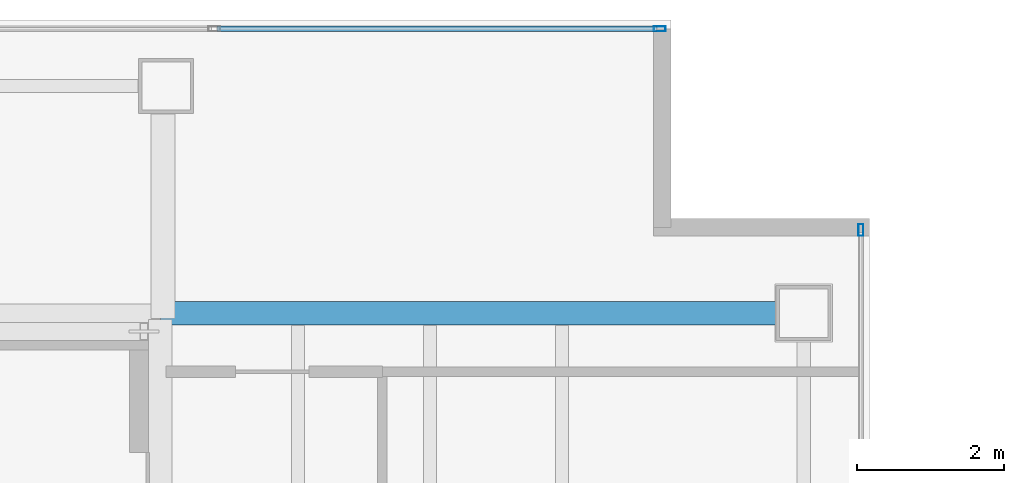
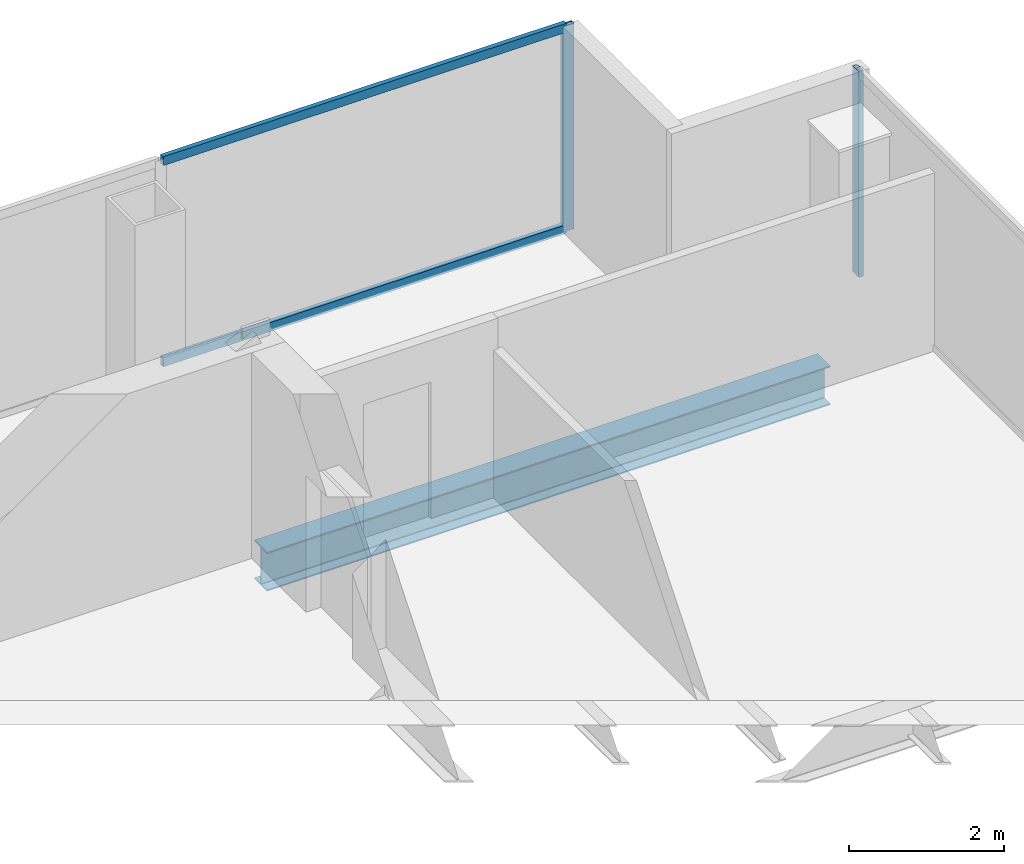
# One storey, part 18 of 23: 4 members, 1 beam, 2 elements without a shape of their own.
"""IFC4 building model written with IfcOpenShell, lengths in metres."""

from ifc_helpers import new_model, si_unit, direction, frame, origin, origin_2d, place, context, subcontext, project, spatial, hollow_rectangle, i_section, extrude, material, material_profile, profile_set, type_object, element, aggregate, save


model = new_model("IFC4")

# Units and contexts
model_context = context("Model", 3, precision=1e-05, world=origin(), true_north=direction((0.0, 1.0)))
body_context = subcontext(model_context, "Body", "Model", "MODEL_VIEW")
ifc_project = project(units=[si_unit("LENGTHUNIT", "METRE"), si_unit("AREAUNIT", "SQUARE_METRE"), si_unit("VOLUMEUNIT", "CUBIC_METRE"), si_unit("PLANEANGLEUNIT", "RADIAN"), si_unit("MASSUNIT", "GRAM", prefix="KILO")], contexts=[model_context])

# Site, building, storey
site_placement = place(None, origin())
site = spatial("IfcSite", under=ifc_project, at=site_placement, CompositionType="ELEMENT")
building_placement = place(site_placement, origin())
building = spatial("IfcBuilding", under=site, at=building_placement, Name="Cobrela Telecom Tower", CompositionType="ELEMENT")
storey_placement = place(building_placement, frame((0.0, 0.0, 229.25)))
storey = spatial("IfcBuildingStorey", under=building, at=storey_placement, Name="L59", CompositionType="ELEMENT", Elevation=229.25)

# Beam
ifc_material_1 = material(Name="Steel ASTM A992 Grade 50", Category="steel")
ifc_material_profile_1 = material_profile(ifc_material_1, i_section(OverallWidth=0.324951171875, OverallDepth=0.612060546875, WebThickness=0.0126953125, FlangeThickness=0.01904296875, FilletRadius=0.014892578125, at=origin_2d()), Name="W24X104")
ifc_profile_set_1 = profile_set([ifc_material_profile_1], Name="Steel ASTM A992 Grade 50")
beam_type = type_object("IfcBeamType", Name="BM-GIRD-07", PredefinedType="USERDEFINED", material=ifc_profile_set_1)
beam_placement = place(storey_placement, frame((14.324951171875, 36.0, -0.56591796875), z_axis=(1.0, 0.0, 0.0), x_axis=(0.0, 1.0, 0.0)))
element("IfcBeam", 1, at=beam_placement, inside=storey, type_object=beam_type, Name="L59 Primary Girder X22", ObjectType="GIRDER", PredefinedType="USERDEFINED", context=body_context, shape_type="SweptSolid", body=[
    extrude(i_section(OverallWidth=0.324951171875, OverallDepth=0.612060546875, WebThickness=0.0126953125, FlangeThickness=0.01904296875, FilletRadius=0.014892578125, at=origin_2d()), origin(), (0.0, 0.0, 1.0), 8.39501953125),
])

# Curtain wall, member
ifc_material_2 = material(Name="Anodized Bronze Aluminium 6063-T6", Category="aluminium")
curtain_wall_type = type_object("IfcCurtainWallType", Name="CW-SYS-OFF-LO", PredefinedType="USERDEFINED", material=ifc_material_2)
curtain_wall_1_placement = place(storey_placement, origin())
curtain_wall_1 = element("IfcCurtainWall", 2, at=curtain_wall_1_placement, inside=storey, type_object=curtain_wall_type, Name="L59 Unitised Bronze Curtain Wall 07", ObjectType="UNITISED CURTAIN WALL", PredefinedType="USERDEFINED")
ifc_material_profile_2 = material_profile(ifc_material_2, hollow_rectangle(XDim=0.070068359375, YDim=0.159912109375, WallThickness=0.00390625, at=origin_2d()), Name="ALU 70x160x4")
ifc_profile_set_2 = profile_set([ifc_material_profile_2], Name="Anodized Bronze Aluminium 6063-T6")
member_type_1 = type_object("IfcMemberType", Name="CW-SYS-OFF-LO-MUL", PredefinedType="MULLION", material=ifc_profile_set_2)
member_1_placement = place(storey_placement, frame((21.135009765625, 39.8798828125, 0.0), z_axis=(0.0, 0.0, 1.0), x_axis=(0.0, 1.0, 0.0)))
member_1 = element("IfcMember", 3, at=member_1_placement, type_object=member_type_1, Name="CW-OFF-LO mullion 4", PredefinedType="MULLION", context=body_context, shape_type="SweptSolid", body=[
    extrude(hollow_rectangle(XDim=0.070068359375, YDim=0.159912109375, WallThickness=0.00390625, at=origin_2d()), origin(), (0.0, 0.0, 1.0), 3.239990234375),
])

curtain_wall_2_placement = place(storey_placement, origin())
curtain_wall_2 = element("IfcCurtainWall", 4, at=curtain_wall_2_placement, inside=storey, type_object=curtain_wall_type, Name="L59 Unitised Bronze Curtain Wall 10", ObjectType="UNITISED CURTAIN WALL", PredefinedType="USERDEFINED")
member_2_placement = place(storey_placement, frame((23.8798828125, 37.135009765625, 0.0), z_axis=(0.0, 0.0, 1.0), x_axis=(1.0, 0.0, 0.0)))
member_2 = element("IfcMember", 5, at=member_2_placement, type_object=member_type_1, Name="CW-OFF-LO mullion 1", PredefinedType="MULLION", context=body_context, shape_type="SweptSolid", body=[
    extrude(hollow_rectangle(XDim=0.070068359375, YDim=0.159912109375, WallThickness=0.00390625, at=origin_2d()), origin(), (0.0, 0.0, 1.0), 3.239990234375),
])
aggregate(curtain_wall_2, [member_2])

# Member
ifc_material_profile_3 = material_profile(ifc_material_2, hollow_rectangle(XDim=0.070068359375, YDim=0.139892578125, WallThickness=0.00390625, at=origin_2d()), Name="ALU 70x140x4")
ifc_profile_set_3 = profile_set([ifc_material_profile_3], Name="Anodized Bronze Aluminium 6063-T6")
member_type_2 = type_object("IfcMemberType", Name="CW-SYS-OFF-LO-TRN", PredefinedType="USERDEFINED", material=ifc_profile_set_3)
member_3_placement = place(storey_placement, frame((15.091552734375, 39.8798828125, 0.034912109375), z_axis=(1.0, 0.0, 0.0), x_axis=(0.0, 1.0, 0.0)))
member_3 = element("IfcMember", 6, at=member_3_placement, type_object=member_type_2, Name="CW-OFF-LO transom 3.1", ObjectType="TRANSOM", PredefinedType="USERDEFINED", context=body_context, shape_type="SweptSolid", body=[
    extrude(hollow_rectangle(XDim=0.070068359375, YDim=0.139892578125, WallThickness=0.00390625, at=origin_2d()), origin(), (0.0, 0.0, 1.0), 6.008544921875),
])

member_4_placement = place(storey_placement, frame((15.091552734375, 39.8798828125, 3.205078125), z_axis=(1.0, 0.0, 0.0), x_axis=(0.0, 1.0, 0.0)))
member_4 = element("IfcMember", 7, at=member_4_placement, type_object=member_type_2, Name="CW-OFF-LO transom 3.2", ObjectType="TRANSOM", PredefinedType="USERDEFINED", context=body_context, shape_type="SweptSolid", body=[
    extrude(hollow_rectangle(XDim=0.070068359375, YDim=0.139892578125, WallThickness=0.00390625, at=origin_2d()), origin(), (0.0, 0.0, 1.0), 6.008544921875),
])

aggregate(curtain_wall_1, [member_1, member_3, member_4])

save(model, "model.ifc")
